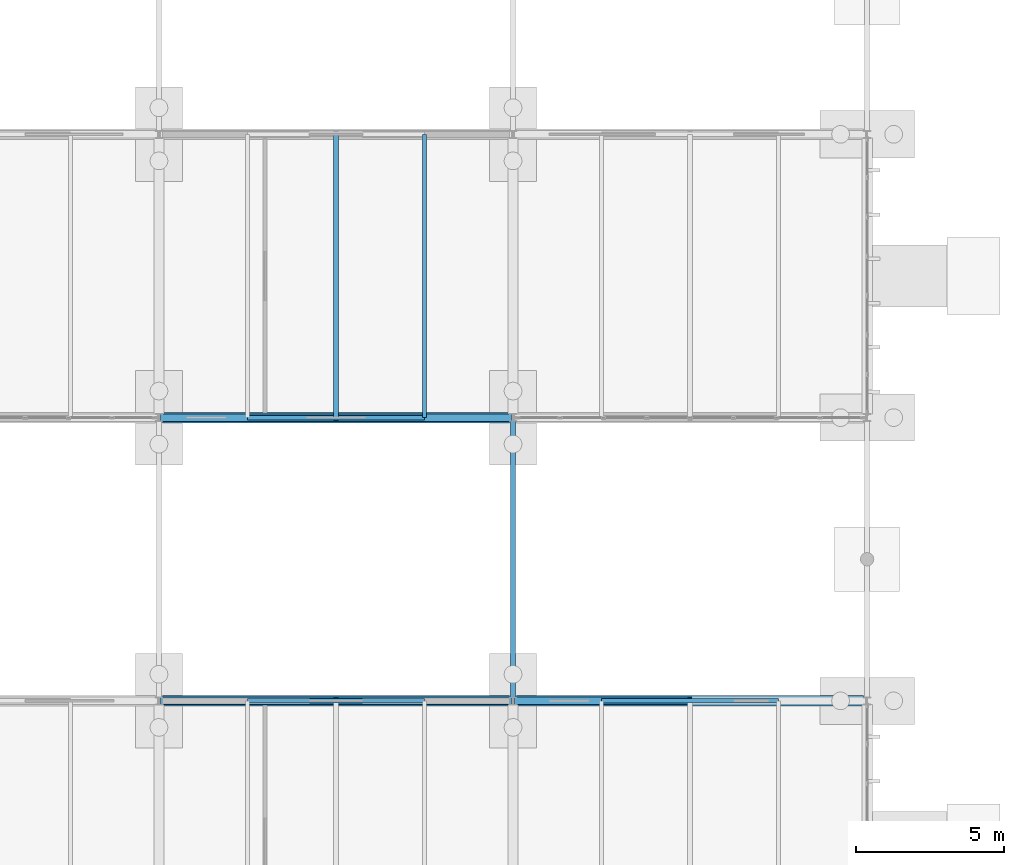
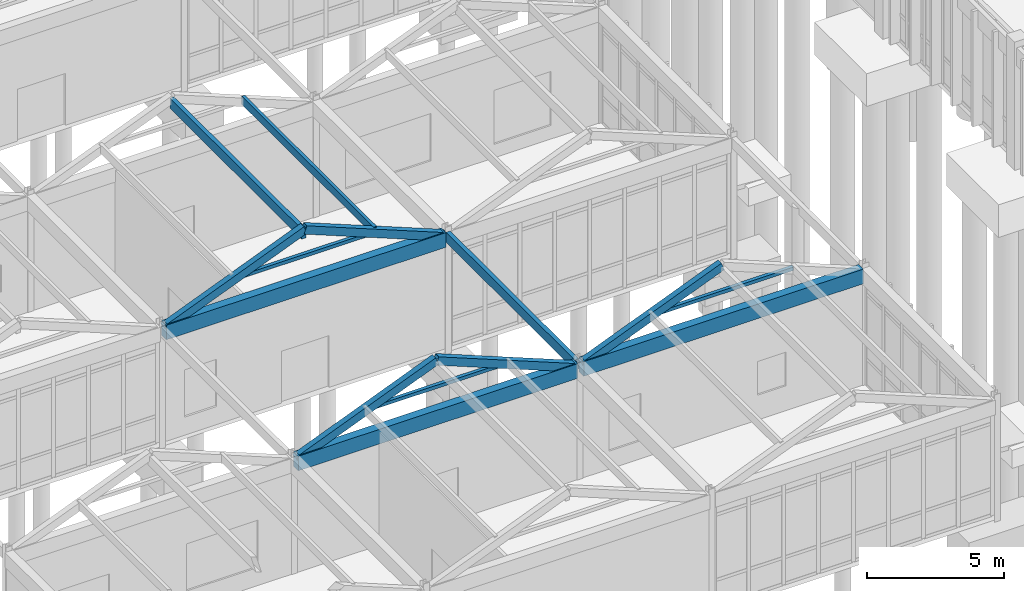
# One storey, part 44 of 188: 11 members, 3 beams.
"""IFC4 building model written with IfcOpenShell, lengths in metres."""

from ifc_helpers import new_model, si_unit, direction, frame, origin, origin_2d, place, context, subcontext, project, spatial, rectangle, hollow_rectangle, extrude, material, material_profile, profile_set, type_object, element, save


model = new_model("IFC4")

# Units and contexts
model_context = context("Model", 3, precision=1e-05, world=origin(), true_north=direction((0.0, 1.0)))
body_context = subcontext(model_context, "Body", "Model", "MODEL_VIEW")
ifc_project = project(units=[si_unit("LENGTHUNIT", "METRE"), si_unit("AREAUNIT", "SQUARE_METRE"), si_unit("VOLUMEUNIT", "CUBIC_METRE"), si_unit("PLANEANGLEUNIT", "RADIAN"), si_unit("MASSUNIT", "GRAM", prefix="KILO")], contexts=[model_context])

# Site, building, storey
site_placement = place(None, origin())
site = spatial("IfcSite", under=ifc_project, at=site_placement, CompositionType="ELEMENT")
building_placement = place(site_placement, origin())
building = spatial("IfcBuilding", under=site, at=building_placement, Name="Pandanus Reach Market Hall", CompositionType="ELEMENT")
storey_placement = place(building_placement, origin())
storey = spatial("IfcBuildingStorey", under=building, at=storey_placement, Name="L00", CompositionType="ELEMENT", Elevation=0.0)

# Beams
ifc_material_1 = material(Name="Concrete N40 (40 MPa)", Category="concrete")
ifc_material_profile_1 = material_profile(ifc_material_1, rectangle(XDim=0.35009765625, YDim=0.64990234375, at=origin_2d()), Name="RC350x650", Category="LoadBearing")
ifc_profile_set_1 = profile_set([ifc_material_profile_1], Name="Concrete N40 (40 MPa)")
beam_type = type_object("IfcBeamType", Name="BM-RC350-E", PredefinedType="SPANDREL", material=ifc_profile_set_1)
for number, where, z_axis, x_axis, name in (
    (1, (12.125, 48.0, 4.8798828125), (1.0, 0.0, 0.0), (0.0, 1.0, 0.0), "Framing beam BM-RC350-E L00.1158"),
    (2, (24.125, 48.0, 4.8798828125), (1.0, 0.0, 0.0), (0.0, 1.0, 0.0), "Framing beam BM-RC350-E L00.1161"),
    (3, (12.125, 57.60009765625, 4.8798828125), (1.0, 0.0, 0.0), (0.0, 1.0, 0.0), "Framing beam BM-RC350-E L00.1167"),
):
    element("IfcBeam", number, at=place(storey_placement, frame(where, z_axis=z_axis, x_axis=x_axis)), inside=storey, type_object=beam_type, Name=name, PredefinedType="SPANDREL", context=body_context, shape_type="SweptSolid", body=[
        extrude(rectangle(XDim=0.35009765625, YDim=0.64990234375, at=origin_2d()), origin(), (0.0, 0.0, 1.0), 11.75),
    ])

# Members
ifc_material_2 = material(Name="Steel Grade 350 (350 MPa)", Category="steel")
ifc_material_profile_2 = material_profile(ifc_material_2, hollow_rectangle(XDim=0.14990234375, YDim=0.14990234375, WallThickness=0.009033203125, at=origin_2d()), Name="150x150x9.0SHS", Category="LoadBearing")
ifc_profile_set_2 = profile_set([ifc_material_profile_2], Name="Steel Grade 350 (350 MPa)")
member_type_1 = type_object("IfcMemberType", Name="CL-SHS150-I", PredefinedType="COLLAR", material=ifc_profile_set_2)
for number, where, z_axis, x_axis, name in (
    (4, (15.0, 48.0, 6.166748046875), (1.0, 0.0, 0.0), (0.0, 1.0, 0.0), "Gable collar tie R1.B2"),
    (5, (27.0, 48.0, 6.166748046875), (1.0, 0.0, 0.0), (0.0, 1.0, 0.0), "Gable collar tie R1.B3"),
    (6, (15.0, 57.60009765625, 6.166748046875), (1.0, 0.0, 0.0), (0.0, 1.0, 0.0), "Gable collar tie R2.B2"),
):
    element("IfcMember", number, at=place(storey_placement, frame(where, z_axis=z_axis, x_axis=x_axis)), inside=storey, type_object=member_type_1, Name=name, PredefinedType="COLLAR", context=body_context, shape_type="SweptSolid", body=[
        extrude(hollow_rectangle(XDim=0.14990234375, YDim=0.14990234375, WallThickness=0.009033203125, at=origin_2d()), origin(), (0.0, 0.0, 1.0), 6.0),
    ])
ifc_material_3 = material(Name="Glulam timber GL17", Category="wood")
ifc_material_profile_3 = material_profile(ifc_material_3, rectangle(XDim=0.1298828125, YDim=0.360107421875, at=origin_2d()), Name="GL130x360", Category="LoadBearing")
ifc_profile_set_3 = profile_set([ifc_material_profile_3], Name="Glulam timber GL17")
member_type_2 = type_object("IfcMemberType", Name="PR-GL130-E", PredefinedType="PURLIN", material=ifc_profile_set_3)
member_1_placement = place(storey_placement, frame((21.0, 57.60009765625, 6.189697265625), z_axis=(0.0, 1.0, 0.0), x_axis=(-1.0, 0.0, 0.0)))
element("IfcMember", 7, at=member_1_placement, inside=storey, type_object=member_type_2, Name="Gable slope glulam purlin R2.B2E", PredefinedType="PURLIN", context=body_context, shape_type="SweptSolid", body=[
    extrude(rectangle(XDim=0.1298828125, YDim=0.360107421875, at=origin_2d()), origin(), (0.0, 0.0, 1.0), 9.599853515625),
])
ifc_material_profile_4 = material_profile(ifc_material_3, rectangle(XDim=0.175048828125, YDim=0.449951171875, at=origin_2d()), Name="GL175x450", Category="LoadBearing")
ifc_profile_set_4 = profile_set([ifc_material_profile_4], Name="Glulam timber GL17")
member_type_3 = type_object("IfcMemberType", Name="PR-GL175-E", PredefinedType="PURLIN", material=ifc_profile_set_4)
member_2_placement = place(storey_placement, frame((18.0, 57.60009765625, 7.11865234375), z_axis=(0.0, 1.0, 0.0), x_axis=(-1.0, 0.0, 0.0)))
element("IfcMember", 8, at=member_2_placement, inside=storey, type_object=member_type_3, Name="Gable ridge glulam purlin R2.B2", PredefinedType="PURLIN", context=body_context, shape_type="SweptSolid", body=[
    extrude(rectangle(XDim=0.175048828125, YDim=0.449951171875, at=origin_2d()), origin(), (0.0, 0.0, 1.0), 9.599853515625),
])
member_3_placement = place(storey_placement, frame((24.0, 48.1201171875, 4.949951171875), z_axis=(0.0, 1.0, 0.0), x_axis=(-1.0, 0.0, 0.0)))
element("IfcMember", 9, at=member_3_placement, inside=storey, type_object=member_type_3, Name="Breezeway glulam purlin 1.24", PredefinedType="PURLIN", context=body_context, shape_type="SweptSolid", body=[
    extrude(rectangle(XDim=0.175048828125, YDim=0.449951171875, at=origin_2d()), origin(), (0.0, 0.0, 1.0), 9.35986328125),
])
ifc_material_profile_5 = material_profile(ifc_material_2, hollow_rectangle(XDim=0.25, YDim=0.35009765625, WallThickness=0.012451171875, at=origin_2d()), Name="350x250x12.5RHS", Category="LoadBearing")
ifc_profile_set_5 = profile_set([ifc_material_profile_5], Name="Steel Grade 350 (350 MPa)")
member_type_4 = type_object("IfcMemberType", Name="RF-RHS350-E", PredefinedType="RAFTER", material=ifc_profile_set_5)
for number, where, z_axis, x_axis, name in (
    (10, (12.1201171875, 48.0, 4.985107421875), (0.927845665363, 0.0, 0.372964369971), (0.0, 1.0, 0.0), "Steep gable rafter R1.B2W"),
    (11, (18.0, 48.0, 7.3486328125), (0.927845665363, 0.0, -0.372964369971), (0.0, 1.0, 0.0), "Steep gable rafter R1.B2E"),
    (12, (24.1201171875, 48.0, 4.985107421875), (0.927845665363, 0.0, 0.372964369971), (0.0, 1.0, 0.0), "Steep gable rafter R1.B3W"),
    (13, (12.1201171875, 57.60009765625, 4.985107421875), (0.927845665363, 0.0, 0.372964369971), (0.0, 1.0, 0.0), "Steep gable rafter R2.B2W"),
    (14, (18.0, 57.60009765625, 7.3486328125), (0.927845665363, 0.0, -0.372964369971), (0.0, 1.0, 0.0), "Steep gable rafter R2.B2E"),
):
    element("IfcMember", number, at=place(storey_placement, frame(where, z_axis=z_axis, x_axis=x_axis)), inside=storey, type_object=member_type_4, Name=name, PredefinedType="RAFTER", context=body_context, shape_type="SweptSolid", body=[
        extrude(hollow_rectangle(XDim=0.25, YDim=0.35009765625, WallThickness=0.012451171875, at=origin_2d()), origin(), (0.0, 0.0, 1.0), 6.337158203125),
    ])

save(model, "model.ifc")
